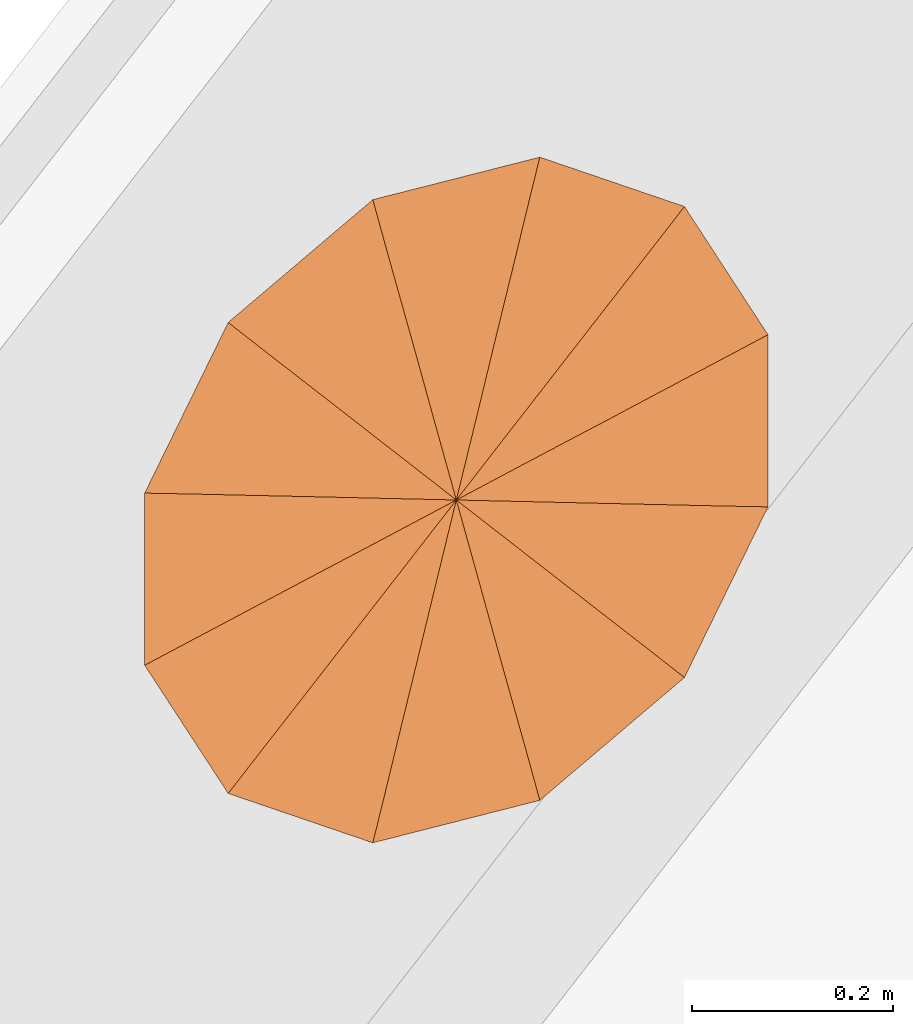
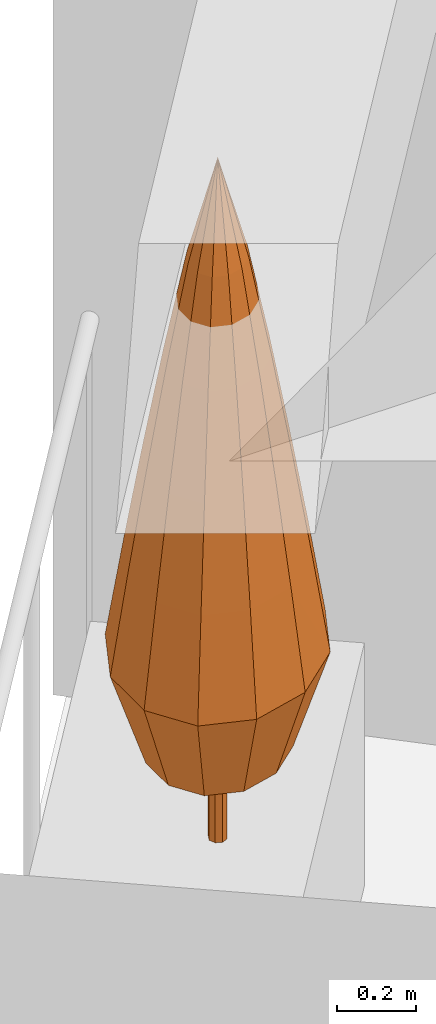
# One storey, part 12 of 12: 1 geographic element.
"""IFC4 building model written with IfcOpenShell, lengths in metres."""

import ifcopenshell
import ifcopenshell.guid

model = None  # the IFC model being written
_history = None  # IfcOwnerHistory: only IFC2X3 demands one
_inside = {}  # id of a spatial element -> (the spatial element, [elements in it])
_under = {}  # id of a project, library or spatial element -> (it, [spatial elements below it])
_declared = {}  # id of a project -> (the project, [libraries it declares])
_typed = {}  # id of a type object -> (the type object, [elements of that type])
_made_of = {}  # id of a material, layer set ... -> (it, [elements and type objects made of it])


def new_model(schema):
    """Start an empty IFC model of exactly this schema.

    Asked for "IFC4X3", IfcOpenShell would pick the latest addendum, in which some entities
    have other attributes; the version numbers below select the first issue.
    IFC2X3 requires an IfcOwnerHistory on every rooted entity: one is made here for all.
    """
    global model, _history
    if schema == "IFC4X3":
        model = ifcopenshell.file(schema_version=(4, 3, 0, 0))
    else:
        model = ifcopenshell.file(schema=schema)
    _inside.clear()
    _under.clear()
    _declared.clear()
    _typed.clear()
    _made_of.clear()
    _history = None
    if model.schema == "IFC2X3":
        org = make("IfcOrganization", Name="unknown")
        user = make(
            "IfcPersonAndOrganization",
            ThePerson=make("IfcPerson", FamilyName="unknown"),
            TheOrganization=org,
        )
        app = make(
            "IfcApplication",
            ApplicationDeveloper=org,
            Version="unknown",
            ApplicationFullName="unknown",
            ApplicationIdentifier="unknown",
        )
        _history = make(
            "IfcOwnerHistory",
            OwningUser=user,
            OwningApplication=app,
            ChangeAction="ADDED",
            CreationDate=0,
        )
    return model


def make(cls, **values):
    """One entity of the class cls with the attributes given. An attribute that is None is left unset."""
    return model.create_entity(
        cls, **{name: value for name, value in values.items() if value is not None}
    )


def rooted(cls, **values):
    """An entity with a GlobalId (a new one), such as an element, a storey or a relation."""
    return make(cls, GlobalId=ifcopenshell.guid.new(), OwnerHistory=_history, **values)


def si_unit(unit_type, name, prefix=None):
    """IfcSIUnit, for example si_unit("LENGTHUNIT", "METRE", prefix="MILLI")."""
    return make("IfcSIUnit", UnitType=unit_type, Prefix=prefix, Name=name)


def assignment(units):
    """IfcUnitAssignment: the units of a project."""
    return None if units is None else make("IfcUnitAssignment", Units=units)


def point(xyz):
    """IfcCartesianPoint."""
    return None if xyz is None else make("IfcCartesianPoint", Coordinates=xyz)


def direction(xyz):
    """IfcDirection."""
    return None if xyz is None else make("IfcDirection", DirectionRatios=xyz)


def frame(location, z_axis=None, x_axis=None):
    """IfcAxis2Placement3D, a coordinate frame: its origin and axes. An axis left out is left unset."""
    return make(
        "IfcAxis2Placement3D",
        Location=point(location),
        Axis=direction(z_axis),
        RefDirection=direction(x_axis),
    )


def origin():
    """The frame at (0, 0, 0) with its axes left unset."""
    return frame((0.0, 0.0, 0.0))


def place(relative_to, where):
    """IfcLocalPlacement: puts the frame where relative to a parent placement (None: the world)."""
    return make(
        "IfcLocalPlacement", PlacementRelTo=relative_to, RelativePlacement=where
    )


def context(
    kind, dimensions, precision=None, world=None, true_north=None, identifier=None
):
    """IfcGeometricRepresentationContext, for example the 3D "Model" context."""
    return make(
        "IfcGeometricRepresentationContext",
        ContextIdentifier=identifier,
        ContextType=kind,
        CoordinateSpaceDimension=dimensions,
        Precision=precision,
        WorldCoordinateSystem=world,
        TrueNorth=true_north,
    )


def subcontext(parent, identifier, kind, view, scale=None):
    """IfcGeometricRepresentationSubContext, for example "Body" below "Model"."""
    return make(
        "IfcGeometricRepresentationSubContext",
        ContextIdentifier=identifier,
        ContextType=kind,
        ParentContext=parent,
        TargetScale=scale,
        TargetView=view,
    )


def project(units=None, contexts=None):
    """IfcProject with its units and contexts."""
    return rooted(
        "IfcProject",
        Name="project",
        RepresentationContexts=contexts,
        UnitsInContext=assignment(units),
    )


def spatial(cls, under=None, at=None, **own):
    """A site, building, storey or space (cls), placed at a placement, below another one or the project."""
    s = rooted(cls, ObjectPlacement=at, **own)
    if under is not None:
        _under.setdefault(under.id(), (under, []))[1].append(s)
    return s


def faces_of(points, faces, orient=None, outer=None):
    """IfcFace entities. A face is a list of loops; a loop is a list of indices into points, from 0.

    orient and outer hold one flag for each loop. By default every Orientation is true, the
    first loop of a face is its IfcFaceOuterBound and the others are IfcFaceBound.
    """
    made = []
    for i, loops in enumerate(faces):
        bounds = []
        for j, loop in enumerate(loops):
            is_outer = j == 0 if outer is None else outer[i][j]
            bounds.append(
                make(
                    "IfcFaceOuterBound" if is_outer else "IfcFaceBound",
                    Bound=make("IfcPolyLoop", Polygon=[points[k] for k in loop]),
                    Orientation=True if orient is None else orient[i][j],
                )
            )
        made.append(make("IfcFace", Bounds=bounds))
    return made


def faceted_brep(points, faces, orient=None, outer=None, voids=None):
    """IfcFacetedBrep: a solid bounded by flat faces; with voids (closed shells), ...WithVoids."""
    shared = [point(p) for p in points]
    hull = make("IfcClosedShell", CfsFaces=faces_of(shared, faces, orient, outer))
    if voids is None:
        return make("IfcFacetedBrep", Outer=hull)
    return make(
        "IfcFacetedBrepWithVoids",
        Outer=hull,
        Voids=[
            make(cls, CfsFaces=faces_of(shared, fs, o, b)) for cls, fs, o, b in voids
        ],
    )


def shape(context_of_items, identifier, shape_type, items):
    """IfcShapeRepresentation: the items that make up one representation, for example the "Body"."""
    return make(
        "IfcShapeRepresentation",
        ContextOfItems=context_of_items,
        RepresentationIdentifier=identifier,
        RepresentationType=shape_type,
        Items=items,
    )


def material(Name=None, Category=None):
    """IfcMaterial."""
    return make("IfcMaterial", Name=Name, Category=Category)


def constituent(of_material, Name=None, Category=None, fraction=None):
    """IfcMaterialConstituent: one of the materials an element consists of."""
    return make(
        "IfcMaterialConstituent",
        Name=Name,
        Material=of_material,
        Fraction=fraction,
        Category=Category,
    )


def constituent_set(constituents=None, Name=None):
    """IfcMaterialConstituentSet."""
    return make(
        "IfcMaterialConstituentSet", Name=Name, MaterialConstituents=constituents
    )


def made_of(thing, what):
    """Note that an element or type object is made of a material, layer set ...; save() writes the relation."""
    if what is not None:
        _made_of.setdefault(what.id(), (what, []))[1].append(thing)
    return thing


def type_object(cls, material=None, **own):
    """A type object (cls), such as IfcWallType, which elements share."""
    return made_of(rooted(cls, **own), material)


def element(
    cls,
    number,
    at=None,
    inside=None,
    cuts=None,
    type_object=None,
    material=None,
    context=None,
    identifier="Body",
    shape_type=None,
    held_by="IfcProductDefinitionShape",
    body=None,
    shapes=None,
    **own,
):
    """One element of the class cls, such as IfcWall. Its Tag is "e" and its number.

    at: its placement. inside: the storey or other place that contains it. cuts: it is an
    opening in that element (IfcRelVoidsElement). A single representation is given by context,
    identifier, shape_type and body (its items); several are given by shapes. held_by: the class
    of the entity that holds the representations. save() writes the other relations.
    """
    e = rooted(cls, Tag="e%d" % number, ObjectPlacement=at, **own)
    if body is not None:
        shapes = [shape(context, identifier, shape_type, body)]
    if shapes is not None:
        e.Representation = make(held_by, Representations=shapes)
    if inside is not None:
        _inside.setdefault(inside.id(), (inside, []))[1].append(e)
    if cuts is not None:
        rooted(
            "IfcRelVoidsElement", RelatingBuildingElement=cuts, RelatedOpeningElement=e
        )
    if type_object is not None:
        _typed.setdefault(type_object.id(), (type_object, []))[1].append(e)
    return made_of(e, material)


def aggregate(whole, parts):
    """IfcRelAggregates: a whole, such as a stair, and the parts it consists of."""
    return rooted("IfcRelAggregates", RelatingObject=whole, RelatedObjects=parts)


def save(model, path):
    """Write the relations noted so far, then the file.

    IfcRelAggregates (storeys below a building ...), IfcRelContainedInSpatialStructure (elements
    in a storey), IfcRelDefinesByType, IfcRelAssociatesMaterial and IfcRelDeclares: one each for
    every whole, place, type object, material and project.
    """
    for whole, parts in _under.values():
        aggregate(whole, parts)
    for where, things in _inside.values():
        rooted(
            "IfcRelContainedInSpatialStructure",
            RelatedElements=things,
            RelatingStructure=where,
        )
    for kind, things in _typed.values():
        rooted("IfcRelDefinesByType", RelatedObjects=things, RelatingType=kind)
    for what, things in _made_of.values():
        rooted("IfcRelAssociatesMaterial", RelatedObjects=things, RelatingMaterial=what)
    for by, libraries in _declared.values():
        rooted("IfcRelDeclares", RelatingContext=by, RelatedDefinitions=libraries)
    model.write(path)


model = new_model("IFC4")

# Units and contexts
model_context = context("Model", 3, precision=1e-05, world=origin(), true_north=direction((0.0, 1.0)))
body_context = subcontext(model_context, "Body", "Model", "MODEL_VIEW")
ifc_project = project(units=[si_unit("LENGTHUNIT", "METRE"), si_unit("AREAUNIT", "SQUARE_METRE"), si_unit("VOLUMEUNIT", "CUBIC_METRE"), si_unit("PLANEANGLEUNIT", "RADIAN"), si_unit("MASSUNIT", "GRAM", prefix="KILO")], contexts=[model_context])

# Site, building, storey
site_placement = place(None, origin())
site = spatial("IfcSite", under=ifc_project, at=site_placement, CompositionType="ELEMENT")
building_placement = place(site_placement, origin())
building = spatial("IfcBuilding", under=site, at=building_placement, Name="Taillehof Tower", CompositionType="ELEMENT")
storey_placement = place(building_placement, frame((0.0, 0.0, 246.5)))
storey = spatial("IfcBuildingStorey", under=building, at=storey_placement, Name="L70", CompositionType="ELEMENT", Elevation=246.5)

# Geographic element
ifc_material_1 = material(Name="Tree bark", Category="timber")
ifc_constituent_1 = constituent(ifc_material_1, Name="Trunk", Category="timber")
ifc_material_2 = material(Name="Tree foliage")
ifc_constituent_2 = constituent(ifc_material_2, Name="Crown")
ifc_constituent_set = constituent_set(constituents=[ifc_constituent_1, ifc_constituent_2], Name="Tree TR5 Columnar juniper")
geographic_element_type = type_object("IfcGeographicElementType", Name="Tree TR5 Columnar juniper", PredefinedType="USERDEFINED", material=ifc_constituent_set)
geographic_element_placement = place(storey_placement, frame((-19.834716796875, 12.753662109375, 0.75)))
element("IfcGeographicElement", 1, at=geographic_element_placement, inside=storey, type_object=geographic_element_type, Name="Tree TR5 Columnar juniper", ObjectType="TREE", PredefinedType="USERDEFINED", context=body_context, shape_type="Brep", body=[
    faceted_brep([(0.02490234375, 0.0, 0.0), (0.017578125, 0.017578125, 0.0), (0.017578125, 0.017578125, 0.929931640625), (0.02490234375, 0.0, 0.929931640625), (0.0, 0.02490234375, 0.0), (0.0, 0.02490234375, 0.929931640625), (-0.017578125, 0.017578125, 0.0), (-0.017578125, 0.017578125, 0.929931640625), (-0.02490234375, 0.0, 0.0), (-0.02490234375, 0.0, 0.929931640625), (-0.017578125, -0.017578125, 0.0), (-0.017578125, -0.017578125, 0.929931640625), (0.0, -0.02490234375, 0.0), (0.0, -0.02490234375, 0.929931640625), (0.017578125, -0.017578125, 0.0), (0.017578125, -0.017578125, 0.929931640625)], [[[0, 1, 2, 3]], [[1, 4, 5, 2]], [[4, 6, 7, 5]], [[6, 8, 9, 7]], [[8, 10, 11, 9]], [[10, 12, 13, 11]], [[12, 14, 15, 13]], [[14, 0, 3, 15]], [[14, 12, 10, 8, 6, 4, 1, 0]], [[3, 2, 5, 7, 9, 11, 13, 15]]]),
    faceted_brep([(-0.15185546875, -0.1953125, 0.300048828125), (-0.0556640625, -0.228271484375, 0.300048828125), (-0.0830078125, -0.3408203125, 0.60009765625), (-0.226806640625, -0.291748046875, 0.60009765625), (0.0556640625, -0.199951171875, 0.300048828125), (0.0830078125, -0.298583984375, 0.60009765625), (0.15185546875, -0.1181640625, 0.300048828125), (0.226806640625, -0.176513671875, 0.60009765625), (0.20751953125, -0.004638671875, 0.300048828125), (0.309814453125, -0.0068359375, 0.60009765625), (0.20751953125, 0.110107421875, 0.300048828125), (0.309814453125, 0.164306640625, 0.60009765625), (0.15185546875, 0.1953125, 0.300048828125), (0.226806640625, 0.291748046875, 0.60009765625), (0.0556640625, 0.228271484375, 0.300048828125), (0.0830078125, 0.3408203125, 0.60009765625), (-0.0556640625, 0.199951171875, 0.300048828125), (-0.0830078125, 0.298583984375, 0.60009765625), (-0.15185546875, 0.1181640625, 0.300048828125), (-0.226806640625, 0.176513671875, 0.60009765625), (-0.20751953125, 0.004638671875, 0.300048828125), (-0.309814453125, 0.0068359375, 0.60009765625), (-0.20751953125, -0.110107421875, 0.300048828125), (-0.309814453125, -0.164306640625, 0.60009765625), (-0.0693359375, -0.28515625, 0.89990234375), (-0.189697265625, -0.243896484375, 0.89990234375), (0.069580078125, -0.249755859375, 0.89990234375), (0.189697265625, -0.1474609375, 0.89990234375), (0.25927734375, -0.005859375, 0.89990234375), (0.25927734375, 0.137451171875, 0.89990234375), (0.189697265625, 0.243896484375, 0.89990234375), (0.0693359375, 0.28515625, 0.89990234375), (-0.069580078125, 0.249755859375, 0.89990234375), (-0.189697265625, 0.1474609375, 0.89990234375), (-0.25927734375, 0.005859375, 0.89990234375), (-0.25927734375, -0.137451171875, 0.89990234375), (-0.05517578125, -0.2265625, 1.199951171875), (-0.150634765625, -0.19384765625, 1.199951171875), (0.05517578125, -0.198486328125, 1.199951171875), (0.150634765625, -0.1171875, 1.199951171875), (0.205810546875, -0.004638671875, 1.199951171875), (0.205810546875, 0.109130859375, 1.199951171875), (0.150634765625, 0.19384765625, 1.199951171875), (0.05517578125, 0.2265625, 1.199951171875), (-0.05517578125, 0.198486328125, 1.199951171875), (-0.150634765625, 0.1171875, 1.199951171875), (-0.205810546875, 0.004638671875, 1.199951171875), (-0.205810546875, -0.109130859375, 1.199951171875), (-0.039794921875, -0.163818359375, 1.5), (-0.10888671875, -0.14013671875, 1.5), (0.039794921875, -0.1435546875, 1.5), (0.10888671875, -0.084716796875, 1.5), (0.14892578125, -0.00341796875, 1.5), (0.14892578125, 0.078857421875, 1.5), (0.10888671875, 0.14013671875, 1.5), (0.039794921875, 0.163818359375, 1.5), (-0.039794921875, 0.1435546875, 1.5), (-0.10888671875, 0.084716796875, 1.5), (-0.14892578125, 0.00341796875, 1.5), (-0.14892578125, -0.078857421875, 1.5), (-0.02294921875, -0.093994140625, 1.800048828125), (-0.0625, -0.08056640625, 1.800048828125), (0.02294921875, -0.08251953125, 1.800048828125), (0.0625, -0.048583984375, 1.800048828125), (0.08544921875, -0.001953125, 1.800048828125), (0.08544921875, 0.04541015625, 1.800048828125), (0.0625, 0.08056640625, 1.800048828125), (0.02294921875, 0.093994140625, 1.800048828125), (-0.02294921875, 0.08251953125, 1.800048828125), (-0.0625, 0.048583984375, 1.800048828125), (-0.08544921875, 0.001953125, 1.800048828125), (-0.08544921875, -0.04541015625, 1.800048828125), (0.0, 0.0, 2.10009765625)], [[[0, 1, 2, 3]], [[1, 4, 5, 2]], [[4, 6, 7, 5]], [[6, 8, 9, 7]], [[8, 10, 11, 9]], [[10, 12, 13, 11]], [[12, 14, 15, 13]], [[14, 16, 17, 15]], [[16, 18, 19, 17]], [[18, 20, 21, 19]], [[20, 22, 23, 21]], [[22, 0, 3, 23]], [[3, 2, 24, 25]], [[2, 5, 26, 24]], [[5, 7, 27, 26]], [[7, 9, 28, 27]], [[9, 11, 29, 28]], [[11, 13, 30, 29]], [[13, 15, 31, 30]], [[15, 17, 32, 31]], [[17, 19, 33, 32]], [[19, 21, 34, 33]], [[21, 23, 35, 34]], [[23, 3, 25, 35]], [[25, 24, 36, 37]], [[24, 26, 38, 36]], [[26, 27, 39, 38]], [[27, 28, 40, 39]], [[28, 29, 41, 40]], [[29, 30, 42, 41]], [[30, 31, 43, 42]], [[31, 32, 44, 43]], [[32, 33, 45, 44]], [[33, 34, 46, 45]], [[34, 35, 47, 46]], [[35, 25, 37, 47]], [[37, 36, 48, 49]], [[36, 38, 50, 48]], [[38, 39, 51, 50]], [[39, 40, 52, 51]], [[40, 41, 53, 52]], [[41, 42, 54, 53]], [[42, 43, 55, 54]], [[43, 44, 56, 55]], [[44, 45, 57, 56]], [[45, 46, 58, 57]], [[46, 47, 59, 58]], [[47, 37, 49, 59]], [[49, 48, 60, 61]], [[48, 50, 62, 60]], [[50, 51, 63, 62]], [[51, 52, 64, 63]], [[52, 53, 65, 64]], [[53, 54, 66, 65]], [[54, 55, 67, 66]], [[55, 56, 68, 67]], [[56, 57, 69, 68]], [[57, 58, 70, 69]], [[58, 59, 71, 70]], [[59, 49, 61, 71]], [[61, 60, 72]], [[60, 62, 72]], [[62, 63, 72]], [[63, 64, 72]], [[64, 65, 72]], [[65, 66, 72]], [[66, 67, 72]], [[67, 68, 72]], [[68, 69, 72]], [[69, 70, 72]], [[70, 71, 72]], [[71, 61, 72]], [[22, 20, 18, 16, 14, 12, 10, 8, 6, 4, 1, 0]]]),
])

save(model, "model.ifc")
